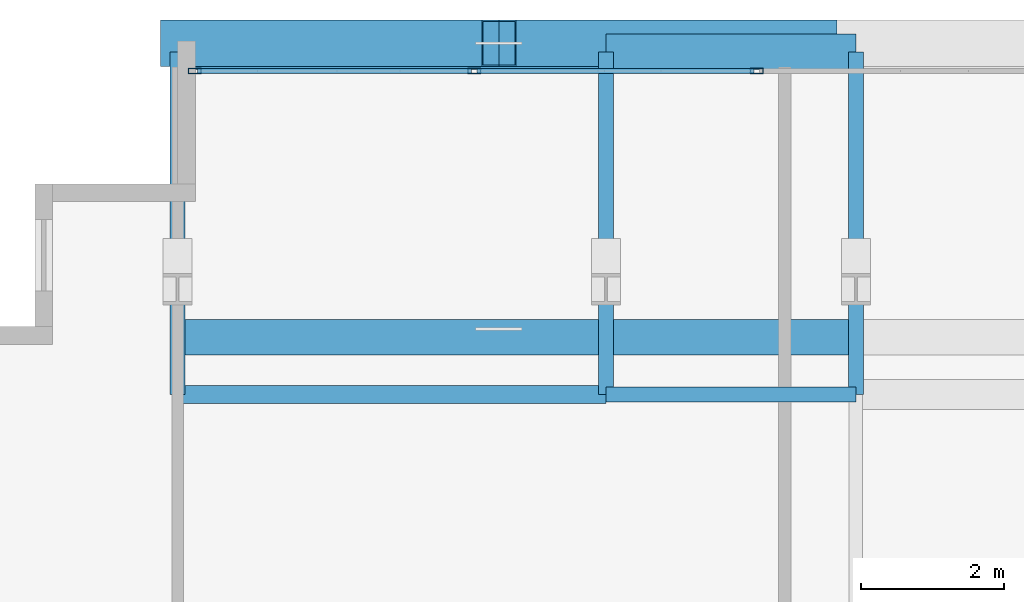
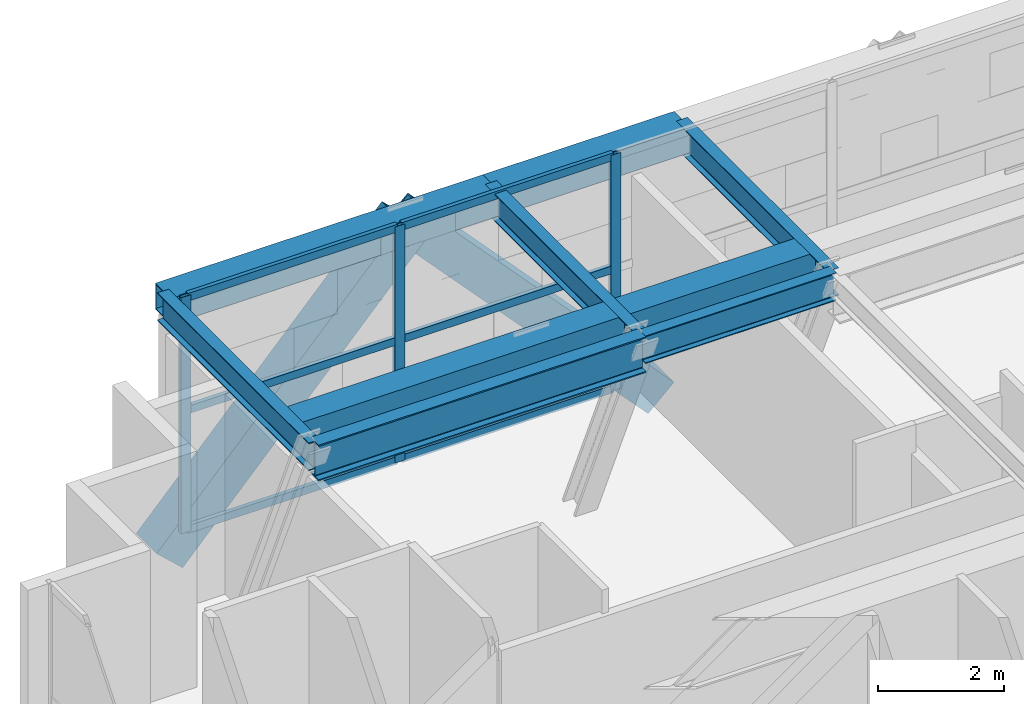
# One storey, part 18 of 35: 11 members, 9 beams, 1 element without a shape of its own.
"""IFC4 building model written with IfcOpenShell, lengths in metres."""

from ifc_helpers import new_model, si_unit, direction, frame, origin, origin_2d, place, context, subcontext, project, spatial, hollow_rectangle, i_section, extrude, source, transform, mapped, material, layer, layer_set, material_profile, profile_set, type_object, element, aggregate, save


model = new_model("IFC4")

# Units and contexts
model_context = context("Model", 3, precision=1e-05, world=origin(), true_north=direction((0.0, 1.0)))
body_context = subcontext(model_context, "Body", "Model", "MODEL_VIEW")
ifc_project = project(units=[si_unit("LENGTHUNIT", "METRE"), si_unit("AREAUNIT", "SQUARE_METRE"), si_unit("VOLUMEUNIT", "CUBIC_METRE"), si_unit("PLANEANGLEUNIT", "RADIAN"), si_unit("MASSUNIT", "GRAM", prefix="KILO")], contexts=[model_context])

# Site, building, storey
site_placement = place(None, origin())
site = spatial("IfcSite", under=ifc_project, at=site_placement, CompositionType="ELEMENT")
building_placement = place(site_placement, origin())
building = spatial("IfcBuilding", under=site, at=building_placement, Name="Ocotamira Hotel", CompositionType="ELEMENT")
storey_placement = place(building_placement, frame((0.0, 0.0, 158.39990234375)))
storey = spatial("IfcBuildingStorey", under=building, at=storey_placement, Name="L39", CompositionType="ELEMENT", Elevation=158.39990234375)

# Beams
ifc_material_1 = material(Name="Steel ASTM A992 Grade 50", Category="steel")
ifc_material_profile_1 = material_profile(ifc_material_1, i_section(OverallWidth=0.256103515625, OverallDepth=0.693115234375, WebThickness=0.014404296875, FlangeThickness=0.023681640625, FilletRadius=0.01611328125, at=origin_2d()), Name="W27X114")
ifc_profile_set_1 = profile_set([ifc_material_profile_1], Name="Steel ASTM A992 Grade 50")
beam_type_1 = type_object("IfcBeamType", Name="BM-PRIM-W27X114", PredefinedType="BEAM", material=ifc_profile_set_1)
shared_shape_1 = source(origin(), body_context, "Body", "SweptSolid", [
    extrude(i_section(OverallWidth=0.256103515625, OverallDepth=0.693115234375, WebThickness=0.014404296875, FlangeThickness=0.023681640625, FilletRadius=0.01611328125, at=origin_2d()), origin(), (0.0, 0.0, 1.0), 6.0),
])
beam_1_placement = place(storey_placement, frame((14.0, 45.050048828125, 4.2236328125), z_axis=(1.0, 0.0, 0.0), x_axis=(0.0, 1.0, 0.0)))
element("IfcBeam", 1, at=beam_1_placement, inside=storey, type_object=beam_type_1, Name="L39 Girder Y45.05 X14-20", PredefinedType="BEAM", context=body_context, shape_type="MappedRepresentation", body=[
    mapped(shared_shape_1, transform((0.0, 0.0, 0.0), scale=1.0)),
])
ifc_material_profile_2 = material_profile(ifc_material_1, i_section(OverallWidth=0.2099609375, OverallDepth=0.537109375, WebThickness=0.010986328125, FlangeThickness=0.017333984375, FilletRadius=0.012939453125, at=origin_2d()), Name="W21X68")
ifc_profile_set_2 = profile_set([ifc_material_profile_2], Name="Steel ASTM A992 Grade 50")
beam_type_2 = type_object("IfcBeamType", Name="BM-SEC-W21X68", PredefinedType="JOIST", material=ifc_profile_set_2)
shared_shape_2 = source(origin(), body_context, "Body", "SweptSolid", [
    extrude(i_section(OverallWidth=0.2099609375, OverallDepth=0.537109375, WebThickness=0.010986328125, FlangeThickness=0.017333984375, FilletRadius=0.012939453125, at=origin_2d()), origin(), (0.0, 0.0, 1.0), 3.5),
])
beam_2_placement = place(storey_placement, frame((20.0, 45.050048828125, 4.301513671875), z_axis=(1.0, 0.0, 0.0), x_axis=(0.0, 1.0, 0.0)))
element("IfcBeam", 2, at=beam_2_placement, inside=storey, type_object=beam_type_2, Name="L39 Girder Y45.05 X20-23.5", PredefinedType="JOIST", context=body_context, shape_type="MappedRepresentation", body=[
    mapped(shared_shape_2, transform((0.0, 0.0, 0.0), scale=1.0)),
])
ifc_material_2 = material(Name="Steel ASTM A500 Grade C", Category="steel")
ifc_material_profile_3 = material_profile(ifc_material_2, hollow_rectangle(XDim=0.5, YDim=0.5, WallThickness=0.02001953125, at=origin_2d()), Name="HSS500X500X20")
ifc_profile_set_3 = profile_set([ifc_material_profile_3], Name="Steel ASTM A500 Grade C")
beam_type_3 = type_object("IfcBeamType", Name="BM-SPAN-HSS500", PredefinedType="USERDEFINED", material=ifc_profile_set_3)
shared_shape_3 = source(origin(), body_context, "Body", "SweptSolid", [
    extrude(hollow_rectangle(XDim=0.5, YDim=0.5, WallThickness=0.02001953125, at=origin_2d()), origin(), (0.0, 0.0, 1.0), 6.0),
])
for number, where, z_axis, x_axis, name in (
    (3, (14.0, 45.85009765625, 4.320068359375), (1.0, 0.0, 0.0), (0.0, 1.0, 0.0), "L39 Inner Setback Spandrel N X14"),
    (4, (14.0, 49.85009765625, 4.320068359375), (1.0, 0.0, 0.0), (0.0, 1.0, 0.0), "L39 Edge Spandrel N X14-20"),
):
    element("IfcBeam", number, at=place(storey_placement, frame(where, z_axis=z_axis, x_axis=x_axis)), inside=storey, type_object=beam_type_3, Name=name, ObjectType="SPANDREL", PredefinedType="USERDEFINED", context=body_context, shape_type="MappedRepresentation", body=[
        mapped(shared_shape_3, transform((0.0, 0.0, 0.0), scale=1.0)),
    ])
shared_shape_4 = source(origin(), body_context, "Body", "SweptSolid", [
    extrude(hollow_rectangle(XDim=0.5, YDim=0.5, WallThickness=0.02001953125, at=origin_2d()), origin(), (0.0, 0.0, 1.0), 3.5),
])
for number, where, z_axis, x_axis, name in (
    (5, (20.0, 45.85009765625, 4.320068359375), (1.0, 0.0, 0.0), (0.0, 1.0, 0.0), "L39 Inner Setback Spandrel N X20"),
    (6, (20.0, 49.85009765625, 4.320068359375), (1.0, 0.0, 0.0), (0.0, 1.0, 0.0), "L39 Edge Spandrel N X20-23.5"),
):
    element("IfcBeam", number, at=place(storey_placement, frame(where, z_axis=z_axis, x_axis=x_axis)), inside=storey, type_object=beam_type_3, Name=name, ObjectType="SPANDREL", PredefinedType="USERDEFINED", context=body_context, shape_type="MappedRepresentation", body=[
        mapped(shared_shape_4, transform((0.0, 0.0, 0.0), scale=1.0)),
    ])
shared_shape_5 = source(origin(), body_context, "Body", "SweptSolid", [
    extrude(i_section(OverallWidth=0.2099609375, OverallDepth=0.537109375, WebThickness=0.010986328125, FlangeThickness=0.017333984375, FilletRadius=0.012939453125, at=origin_2d()), origin(), (0.0, 0.0, 1.0), 4.800048828125),
])
for number, where, z_axis, x_axis, name in (
    (7, (14.0, 45.050048828125, 4.301513671875), (0.0, 1.0, 0.0), (-1.0, 0.0, 0.0), "L39 North Edge Header X14"),
    (8, (20.0, 45.050048828125, 4.301513671875), (0.0, 1.0, 0.0), (-1.0, 0.0, 0.0), "L39 North Edge Header X20"),
    (9, (23.5, 45.050048828125, 4.301513671875), (0.0, 1.0, 0.0), (-1.0, 0.0, 0.0), "L39 North Edge Header X23.5"),
):
    element("IfcBeam", number, at=place(storey_placement, frame(where, z_axis=z_axis, x_axis=x_axis)), inside=storey, type_object=beam_type_2, Name=name, PredefinedType="JOIST", context=body_context, shape_type="MappedRepresentation", body=[
        mapped(shared_shape_5, transform((0.0, 0.0, 0.0), scale=1.0)),
    ])

# Members
ifc_material_3 = material(Name="Pale-metal coated steel ASTM A913 Grade 65", Category="steel")
ifc_material_profile_4 = material_profile(ifc_material_3, hollow_rectangle(XDim=0.64990234375, YDim=0.64990234375, WallThickness=0.02197265625, at=origin_2d()), Name="BOX650X650X22")
ifc_profile_set_4 = profile_set([ifc_material_profile_4], Name="Pale-metal coated steel ASTM A913 Grade 65")
member_type_1 = type_object("IfcMemberType", Name="MEM-EXO-BOX650", PredefinedType="BRACE", material=ifc_profile_set_4)
shared_shape_6 = source(origin(), body_context, "Body", "SweptSolid", [
    extrude(hollow_rectangle(XDim=0.64990234375, YDim=0.64990234375, WallThickness=0.02197265625, at=origin_2d()), origin(), (0.0, 0.0, 1.0), 6.615966796875),
])
for number, where, z_axis, x_axis, name in (
    (10, (14.0, 49.969970703125, -0.52978515625), (0.680172214763, 0.0, 0.73305235711), (0.0, 1.0, 0.0), "L39 Exoskeleton Diagrid N0.1"),
    (11, (23.0, 49.969970703125, -0.52978515625), (-0.680172214763, 0.0, 0.73305235711), (0.0, -1.0, 0.0), "L39 Exoskeleton Diagrid N0.2"),
):
    element("IfcMember", number, at=place(storey_placement, frame(where, z_axis=z_axis, x_axis=x_axis)), inside=storey, type_object=member_type_1, Name=name, PredefinedType="BRACE", context=body_context, shape_type="MappedRepresentation", body=[
        mapped(shared_shape_6, transform((0.0, 0.0, 0.0), scale=1.0)),
    ])

# Curtain wall, members
ifc_material_4 = material(Name="Anodised pale-metal aluminium and solar glass", Category="aluminium")
ifc_layer = layer(ifc_material_4, 0.239990234375)
ifc_layer_set = layer_set([ifc_layer], Name="Anodised pale-metal aluminium and solar glass")
curtain_wall_type = type_object("IfcCurtainWallType", Name="CW-SYS5-SKY", PredefinedType="NOTDEFINED", material=ifc_layer_set)
curtain_wall_placement = place(storey_placement, origin())
curtain_wall = element("IfcCurtainWall", 12, at=curtain_wall_placement, inside=storey, type_object=curtain_wall_type, Name="L39 Curtain Wall CW-5 CW-L39-N", PredefinedType="NOTDEFINED")
ifc_material_5 = material(Name="Anodised pale-metal aluminium 6063-T6", Category="aluminium")
ifc_material_profile_5 = material_profile(ifc_material_5, hollow_rectangle(XDim=0.074951171875, YDim=0.14990234375, WallThickness=0.006103515625, at=origin_2d()), Name="HSS150X75X6")
ifc_profile_set_5 = profile_set([ifc_material_profile_5], Name="Anodised pale-metal aluminium 6063-T6")
member_type_2 = type_object("IfcMemberType", Name="CWT-150X75", PredefinedType="USERDEFINED", material=ifc_profile_set_5)
shared_shape_7 = source(origin(), body_context, "Body", "SweptSolid", [
    extrude(hollow_rectangle(XDim=0.074951171875, YDim=0.14990234375, WallThickness=0.006103515625, at=origin_2d()), origin(), (0.0, 0.0, 1.0), 3.83544921875),
])
member_1_placement = place(storey_placement, frame((14.280029296875, 49.580078125, 0.03759765625), z_axis=(1.0, 0.0, 0.0), x_axis=(0.0, 1.0, 0.0)))
member_1 = element("IfcMember", 13, at=member_1_placement, type_object=member_type_2, Name="CW-5 transom 1.1", ObjectType="TRANSOM", PredefinedType="USERDEFINED", context=body_context, shape_type="MappedRepresentation", body=[
    mapped(shared_shape_7, transform((0.0, 0.0, 0.0), scale=1.0)),
])
member_2_placement = place(storey_placement, frame((14.280029296875, 49.580078125, 2.35009765625), z_axis=(1.0, 0.0, 0.0), x_axis=(0.0, 1.0, 0.0)))
member_2 = element("IfcMember", 14, at=member_2_placement, type_object=member_type_2, Name="CW-5 transom 1.2", ObjectType="TRANSOM", PredefinedType="USERDEFINED", context=body_context, shape_type="MappedRepresentation", body=[
    mapped(shared_shape_7, transform((0.0, 0.0, 0.0), scale=1.0)),
])
member_3_placement = place(storey_placement, frame((14.280029296875, 49.580078125, 4.53271484375), z_axis=(1.0, 0.0, 0.0), x_axis=(0.0, 1.0, 0.0)))
member_3 = element("IfcMember", 15, at=member_3_placement, type_object=member_type_2, Name="CW-5 transom 1.3", ObjectType="TRANSOM", PredefinedType="USERDEFINED", context=body_context, shape_type="MappedRepresentation", body=[
    mapped(shared_shape_7, transform((0.0, 0.0, 0.0), scale=1.0)),
])
shared_shape_8 = source(origin(), body_context, "Body", "SweptSolid", [
    extrude(hollow_rectangle(XDim=0.074951171875, YDim=0.14990234375, WallThickness=0.006103515625, at=origin_2d()), origin(), (0.0, 0.0, 1.0), 3.87548828125),
])
member_4_placement = place(storey_placement, frame((18.195556640625, 49.580078125, 0.03759765625), z_axis=(1.0, 0.0, 0.0), x_axis=(0.0, 1.0, 0.0)))
member_4 = element("IfcMember", 16, at=member_4_placement, type_object=member_type_2, Name="CW-5 transom 2.1", ObjectType="TRANSOM", PredefinedType="USERDEFINED", context=body_context, shape_type="MappedRepresentation", body=[
    mapped(shared_shape_8, transform((0.0, 0.0, 0.0), scale=1.0)),
])
member_5_placement = place(storey_placement, frame((18.195556640625, 49.580078125, 2.35009765625), z_axis=(1.0, 0.0, 0.0), x_axis=(0.0, 1.0, 0.0)))
member_5 = element("IfcMember", 17, at=member_5_placement, type_object=member_type_2, Name="CW-5 transom 2.2", ObjectType="TRANSOM", PredefinedType="USERDEFINED", context=body_context, shape_type="MappedRepresentation", body=[
    mapped(shared_shape_8, transform((0.0, 0.0, 0.0), scale=1.0)),
])
member_6_placement = place(storey_placement, frame((18.195556640625, 49.580078125, 4.53271484375), z_axis=(1.0, 0.0, 0.0), x_axis=(0.0, 1.0, 0.0)))
member_6 = element("IfcMember", 18, at=member_6_placement, type_object=member_type_2, Name="CW-5 transom 2.3", ObjectType="TRANSOM", PredefinedType="USERDEFINED", context=body_context, shape_type="MappedRepresentation", body=[
    mapped(shared_shape_8, transform((0.0, 0.0, 0.0), scale=1.0)),
])
ifc_material_profile_6 = material_profile(ifc_material_5, hollow_rectangle(XDim=0.080078125, YDim=0.179931640625, WallThickness=0.006103515625, at=origin_2d()), Name="HSS180X80X6")
ifc_profile_set_6 = profile_set([ifc_material_profile_6], Name="Anodised pale-metal aluminium 6063-T6")
member_type_3 = type_object("IfcMemberType", Name="CWM-180X75", PredefinedType="MULLION", material=ifc_profile_set_6)
shared_shape_9 = source(origin(), body_context, "Body", "SweptSolid", [
    extrude(hollow_rectangle(XDim=0.080078125, YDim=0.179931640625, WallThickness=0.006103515625, at=origin_2d()), origin(), (0.0, 0.0, 1.0), 4.570068359375),
])
member_7_placement = place(storey_placement, frame((14.239990234375, 49.580078125, 0.0), z_axis=(0.0, 0.0, 1.0), x_axis=(0.0, 1.0, 0.0)))
member_7 = element("IfcMember", 19, at=member_7_placement, type_object=member_type_3, Name="CW-5 mullion 1", PredefinedType="MULLION", context=body_context, shape_type="MappedRepresentation", body=[
    mapped(shared_shape_9, transform((0.0, 0.0, 0.0), scale=1.0)),
])
member_8_placement = place(storey_placement, frame((18.155517578125, 49.580078125, 0.0), z_axis=(0.0, 0.0, 1.0), x_axis=(0.0, 1.0, 0.0)))
member_8 = element("IfcMember", 20, at=member_8_placement, type_object=member_type_3, Name="CW-5 mullion 2", PredefinedType="MULLION", context=body_context, shape_type="MappedRepresentation", body=[
    mapped(shared_shape_9, transform((0.0, 0.0, 0.0), scale=1.0)),
])
member_9_placement = place(storey_placement, frame((22.111083984375, 49.580078125, 0.0), z_axis=(0.0, 0.0, 1.0), x_axis=(0.0, 1.0, 0.0)))
member_9 = element("IfcMember", 21, at=member_9_placement, type_object=member_type_3, Name="CW-5 mullion 3", PredefinedType="MULLION", context=body_context, shape_type="MappedRepresentation", body=[
    mapped(shared_shape_9, transform((0.0, 0.0, 0.0), scale=1.0)),
])
aggregate(curtain_wall, [member_7, member_8, member_9, member_1, member_2, member_3, member_4, member_5, member_6])

save(model, "model.ifc")
